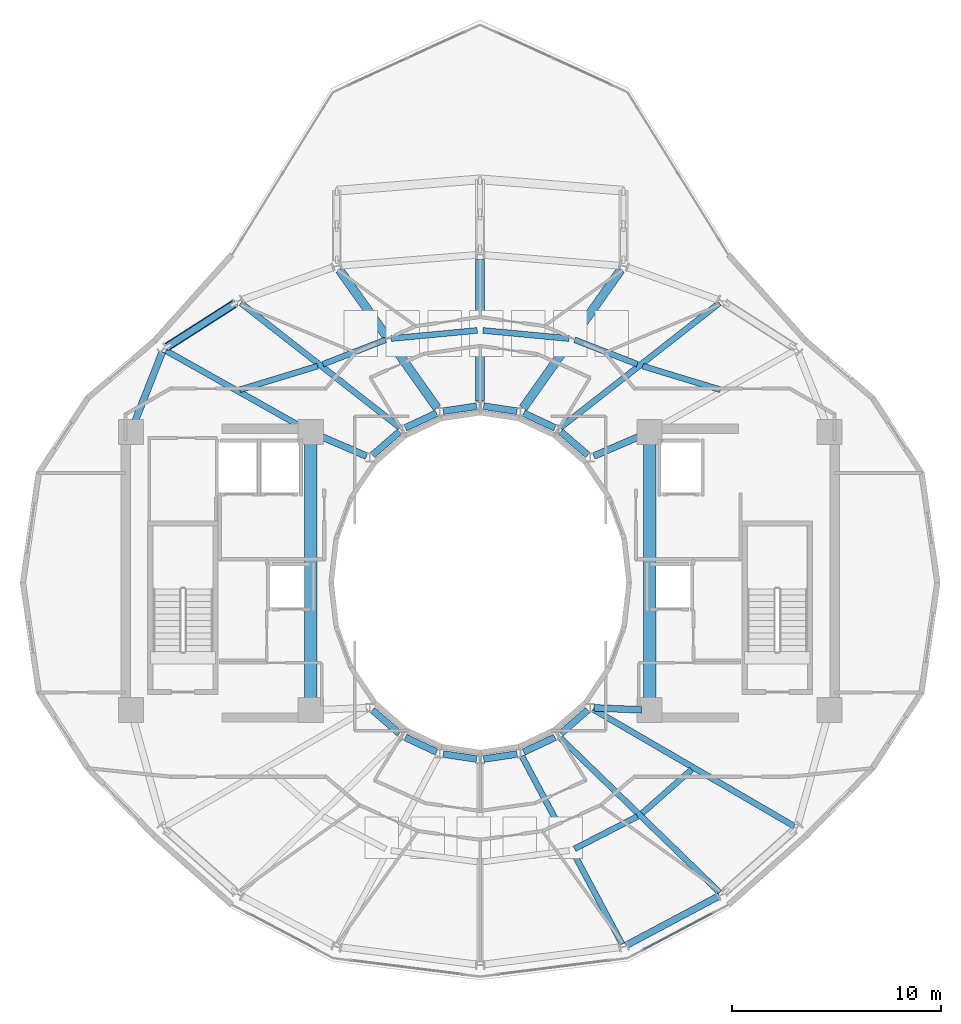
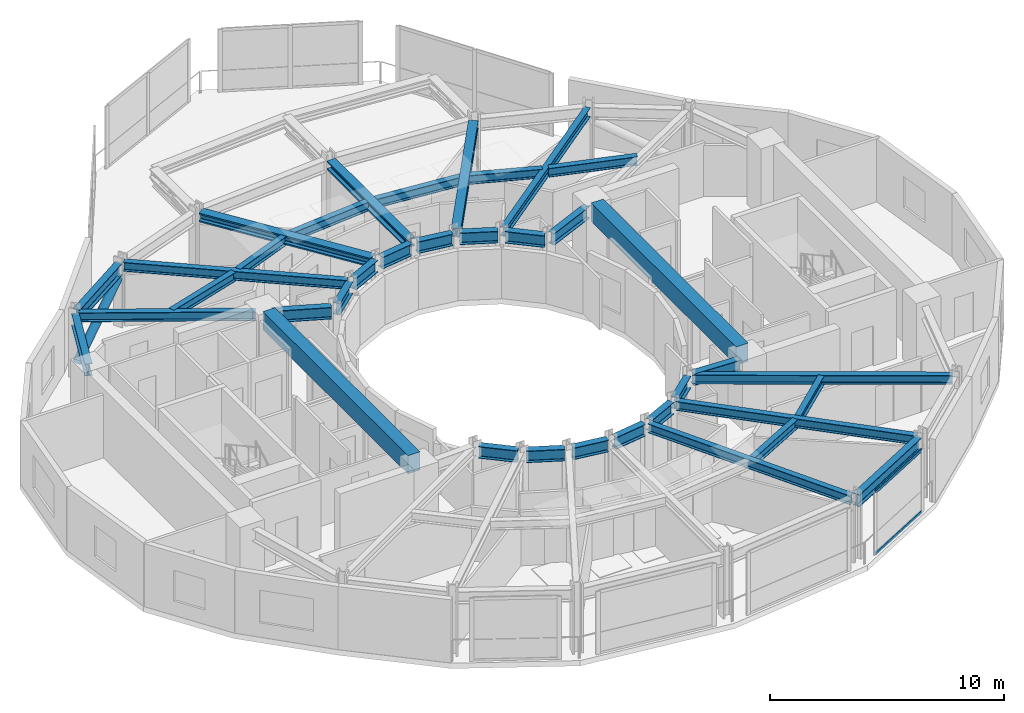
# One storey, part 5 of 19: 37 beams, 3 members, 1 element without a shape of its own.
"""IFC4 building model written with IfcOpenShell, lengths in metres."""

from ifc_helpers import new_model, si_unit, direction, frame, origin, origin_2d, place, context, subcontext, project, spatial, rectangle, hollow_rectangle, hollow_circle, i_section, extrude, material, layer, layer_set, material_profile, profile_set, type_object, element, aggregate, save


model = new_model("IFC4")

# Units and contexts
model_context = context("Model", 3, precision=1e-05, world=origin(), true_north=direction((0.0, 1.0)))
body_context = subcontext(model_context, "Body", "Model", "MODEL_VIEW")
ifc_project = project(units=[si_unit("LENGTHUNIT", "METRE"), si_unit("AREAUNIT", "SQUARE_METRE"), si_unit("VOLUMEUNIT", "CUBIC_METRE"), si_unit("PLANEANGLEUNIT", "RADIAN"), si_unit("MASSUNIT", "GRAM", prefix="KILO")], contexts=[model_context])

# Site, building, storey
site_placement = place(None, origin())
site = spatial("IfcSite", under=ifc_project, at=site_placement, CompositionType="ELEMENT")
building_placement = place(site_placement, origin())
building = spatial("IfcBuilding", under=site, at=building_placement, Name="Solvane Sanctuary Tower", CompositionType="ELEMENT")
storey_placement = place(building_placement, frame((0.0, 0.0, 249.60009765625)))
storey = spatial("IfcBuildingStorey", under=building, at=storey_placement, Name="L76", CompositionType="ELEMENT", Elevation=249.60009765625)

# Beams
ifc_material_1 = material(Name="Steel ASTM A913 Grade 65", Category="steel")
ifc_material_profile_1 = material_profile(ifc_material_1, i_section(OverallWidth=0.422119140625, OverallDepth=0.465087890625, WebThickness=0.044921875, FlangeThickness=0.072509765625, FilletRadius=0.02490234375, at=origin_2d()), Name="W14X398")
ifc_profile_set_1 = profile_set([ifc_material_profile_1], Name="Steel ASTM A913 Grade 65")
beam_type_1 = type_object("IfcBeamType", Name="Beam B-CANT-CH W14X398", PredefinedType="BEAM", material=ifc_profile_set_1)
beam_1_placement = place(storey_placement, frame((29.942138671875, 31.351318359375, 3.08544921875), z_axis=(-0.577262901024, 0.816558352539, 0.0), x_axis=(-0.816558352539, -0.577262901024, 0.0)))
element("IfcBeam", 1, at=beam_1_placement, inside=storey, type_object=beam_type_1, Name="L76 Sky-Dining Truss Backspan Chord C05", PredefinedType="BEAM", context=body_context, shape_type="SweptSolid", body=[
    extrude(i_section(OverallWidth=0.422119140625, OverallDepth=0.465087890625, WebThickness=0.044921875, FlangeThickness=0.072509765625, FilletRadius=0.02490234375, at=origin_2d()), origin(), (0.0, 0.0, 1.0), 8.08349609375),
])
beam_2_placement = place(storey_placement, frame((32.0, 31.679931640625, 3.08544921875), z_axis=(0.0, 1.0, 0.0), x_axis=(-1.0, 0.0, 0.0)))
element("IfcBeam", 2, at=beam_2_placement, inside=storey, type_object=beam_type_1, Name="L76 Sky-Dining Truss Backspan Chord C04", PredefinedType="BEAM", context=body_context, shape_type="SweptSolid", body=[
    extrude(i_section(OverallWidth=0.422119140625, OverallDepth=0.465087890625, WebThickness=0.044921875, FlangeThickness=0.072509765625, FilletRadius=0.02490234375, at=origin_2d()), origin(), (0.0, 0.0, 1.0), 6.779052734375),
])
beam_3_placement = place(storey_placement, frame((34.057861328125, 31.351318359375, 3.08544921875), z_axis=(0.577262901024, 0.816558352539, 0.0), x_axis=(-0.816558352539, 0.577262901024, 0.0)))
element("IfcBeam", 3, at=beam_3_placement, inside=storey, type_object=beam_type_1, Name="L76 Sky-Dining Truss Backspan Chord C03", PredefinedType="BEAM", context=body_context, shape_type="SweptSolid", body=[
    extrude(i_section(OverallWidth=0.422119140625, OverallDepth=0.465087890625, WebThickness=0.044921875, FlangeThickness=0.072509765625, FilletRadius=0.02490234375, at=origin_2d()), origin(), (0.0, 0.0, 1.0), 8.08349609375),
])
ifc_material_2 = material(Name="Concrete C70/85", Category="concrete")
ifc_material_profile_2 = material_profile(ifc_material_2, rectangle(XDim=0.60009765625, YDim=0.949951171875, at=origin_2d()), Name="RC600X950")
ifc_profile_set_2 = profile_set([ifc_material_profile_2], Name="Concrete C70/85")
beam_type_2 = type_object("IfcBeamType", Name="Beam B-COUPLE RC600X950", PredefinedType="LINTEL", material=ifc_profile_set_2)
for number, where, z_axis, x_axis, name in (
    (4, (23.89990234375, 17.35009765625, 3.125), (0.0, 1.0, 0.0), (-1.0, 0.0, 0.0), "L76 West Core Coupling Lintel"),
    (5, (40.10009765625, 17.35009765625, 3.125), (0.0, 1.0, 0.0), (-1.0, 0.0, 0.0), "L76 East Core Coupling Lintel"),
):
    element("IfcBeam", number, at=place(storey_placement, frame(where, z_axis=z_axis, x_axis=x_axis)), inside=storey, type_object=beam_type_2, Name=name, PredefinedType="LINTEL", context=body_context, shape_type="SweptSolid", body=[
        extrude(rectangle(XDim=0.60009765625, YDim=0.949951171875, at=origin_2d()), origin(), (0.0, 0.0, 1.0), 12.39990234375),
    ])
ifc_material_3 = material(Name="Steel ASTM A992 Grade 50", Category="steel")
ifc_material_profile_3 = material_profile(ifc_material_3, i_section(OverallWidth=0.282958984375, OverallDepth=0.471923828125, WebThickness=0.013671875, FlangeThickness=0.022216796875, FilletRadius=0.013916015625, at=origin_2d()), Name="W18X97")
ifc_profile_set_3 = profile_set([ifc_material_profile_3], Name="Steel ASTM A992 Grade 50")
beam_type_3 = type_object("IfcBeamType", Name="Beam B-RAD-Z4 W18X97", PredefinedType="JOIST", material=ifc_profile_set_3)
for number, where, z_axis, x_axis, name in (
    (6, (35.840087890625, 30.412841796875, 3.081787109375), (0.787179592087, 0.616723835927, 0.0), (-0.616723835927, 0.787179592087, 0.0), "L76 Radial Composite Floor Beam 02"),
    (7, (28.159912109375, 30.412841796875, 3.081787109375), (-0.787179592087, 0.616723835927, 0.0), (-0.616723835927, -0.787179592087, 0.0), "L76 Radial Composite Floor Beam 06"),
):
    element("IfcBeam", number, at=place(storey_placement, frame(where, z_axis=z_axis, x_axis=x_axis)), inside=storey, type_object=beam_type_3, Name=name, PredefinedType="JOIST", context=body_context, shape_type="SweptSolid", body=[
        extrude(i_section(OverallWidth=0.282958984375, OverallDepth=0.471923828125, WebThickness=0.013671875, FlangeThickness=0.022216796875, FilletRadius=0.013916015625, at=origin_2d()), origin(), (0.0, 0.0, 1.0), 9.66064453125),
    ])
beam_4_placement = place(storey_placement, frame((23.586181640625, 30.37646484375, 3.081787109375), z_axis=(-0.87176037811, 0.489932488367, 0.0), x_axis=(-0.489932488367, -0.87176037811, 0.0)))
element("IfcBeam", 8, at=beam_4_placement, inside=storey, type_object=beam_type_3, Name="L76 Radial Composite Floor Beam 07", PredefinedType="JOIST", context=body_context, shape_type="SweptSolid", body=[
    extrude(i_section(OverallWidth=0.282958984375, OverallDepth=0.471923828125, WebThickness=0.013671875, FlangeThickness=0.022216796875, FilletRadius=0.013916015625, at=origin_2d()), origin(), (0.0, 0.0, 1.0), 7.581298828125),
])
beam_5_placement = place(storey_placement, frame((33.99658203125, 14.704833984375, 3.081787109375), z_axis=(0.470405435304, -0.882450410185, 0.0), x_axis=(0.882450410185, 0.470405435304, 0.0)))
element("IfcBeam", 9, at=beam_5_placement, inside=storey, type_object=beam_type_3, Name="L76 Radial Composite Floor Beam 12", PredefinedType="JOIST", context=body_context, shape_type="SweptSolid", body=[
    extrude(i_section(OverallWidth=0.282958984375, OverallDepth=0.471923828125, WebThickness=0.013671875, FlangeThickness=0.022216796875, FilletRadius=0.013916015625, at=origin_2d()), origin(), (0.0, 0.0, 1.0), 10.190673828125),
])
beam_6_placement = place(storey_placement, frame((35.83056640625, 15.575927734375, 3.081787109375), z_axis=(0.71793137972, -0.696113880061, 0.0), x_axis=(0.696113880061, 0.71793137972, 0.0)))
element("IfcBeam", 10, at=beam_6_placement, inside=storey, type_object=beam_type_3, Name="L76 Radial Composite Floor Beam 13", PredefinedType="JOIST", context=body_context, shape_type="SweptSolid", body=[
    extrude(i_section(OverallWidth=0.282958984375, OverallDepth=0.471923828125, WebThickness=0.013671875, FlangeThickness=0.022216796875, FilletRadius=0.013916015625, at=origin_2d()), origin(), (0.0, 0.0, 1.0), 10.619384765625),
])
beam_7_placement = place(storey_placement, frame((37.39599609375, 16.947509765625, 3.081787109375), z_axis=(0.864496775109, -0.502638364857, 0.0), x_axis=(0.502638364857, 0.864496775109, 0.0)))
element("IfcBeam", 11, at=beam_7_placement, inside=storey, type_object=beam_type_3, Name="L76 Radial Composite Floor Beam 14", PredefinedType="JOIST", context=body_context, shape_type="SweptSolid", body=[
    extrude(i_section(OverallWidth=0.282958984375, OverallDepth=0.471923828125, WebThickness=0.013671875, FlangeThickness=0.022216796875, FilletRadius=0.013916015625, at=origin_2d()), origin(), (0.0, 0.0, 1.0), 11.136962890625),
])
ifc_material_profile_4 = material_profile(ifc_material_3, i_section(OverallWidth=0.324951171875, OverallDepth=0.615966796875, WebThickness=0.013916015625, FlangeThickness=0.021484375, FilletRadius=0.01611328125, at=origin_2d()), Name="W24X117")
ifc_profile_set_4 = profile_set([ifc_material_profile_4], Name="Steel ASTM A992 Grade 50")
beam_type_4 = type_object("IfcBeamType", Name="Beam B-RING-IN2 W24X117", PredefinedType="BEAM", material=ifc_profile_set_4)
beam_8_placement = place(storey_placement, frame((24.230712890625, 30.0576171875, 3.010009765625), z_axis=(0.918254967668, -0.395989664453, 0.0), x_axis=(0.395989664453, 0.918254967668, 0.0)))
element("IfcBeam", 12, at=beam_8_placement, inside=storey, type_object=beam_type_4, Name="L76 Inner Light-Well Ring Beam CW3-IC07", PredefinedType="BEAM", context=body_context, shape_type="SweptSolid", body=[
    extrude(i_section(OverallWidth=0.324951171875, OverallDepth=0.615966796875, WebThickness=0.013916015625, FlangeThickness=0.021484375, FilletRadius=0.01611328125, at=origin_2d()), origin(), (0.0, 0.0, 1.0), 2.54638671875),
])
beam_9_placement = place(storey_placement, frame((26.853271484375, 29.09375, 3.010009765625), z_axis=(0.754362388825, 0.656458213694, 0.0), x_axis=(-0.656458213694, 0.754362388825, 0.0)))
element("IfcBeam", 13, at=beam_9_placement, inside=storey, type_object=beam_type_4, Name="L76 Inner Light-Well Ring Beam IC07-IC06", PredefinedType="BEAM", context=body_context, shape_type="SweptSolid", body=[
    extrude(i_section(OverallWidth=0.324951171875, OverallDepth=0.615966796875, WebThickness=0.013916015625, FlangeThickness=0.021484375, FilletRadius=0.01611328125, at=origin_2d()), origin(), (0.0, 0.0, 1.0), 1.708251953125),
])
beam_10_placement = place(storey_placement, frame((28.423828125, 30.39892578125, 3.010009765625), z_axis=(0.905150857291, 0.425090491008, 0.0), x_axis=(-0.425090491008, 0.905150857291, 0.0)))
element("IfcBeam", 14, at=beam_10_placement, inside=storey, type_object=beam_type_4, Name="L76 Inner Light-Well Ring Beam IC06-IC05", PredefinedType="BEAM", context=body_context, shape_type="SweptSolid", body=[
    extrude(i_section(OverallWidth=0.324951171875, OverallDepth=0.615966796875, WebThickness=0.013916015625, FlangeThickness=0.021484375, FilletRadius=0.01611328125, at=origin_2d()), origin(), (0.0, 0.0, 1.0), 1.647705078125),
])
for number, where, z_axis, x_axis, name in (
    (15, (30.2373046875, 31.19677734375, 3.010009765625), (0.989039416515, 0.147651727316, 0.0), (-0.147651727316, 0.989039416515, 0.0), "L76 Inner Light-Well Ring Beam IC05-IC04"),
    (16, (32.168212890625, 31.434814453125, 3.010009765625), (0.989039416515, -0.147651727316, 0.0), (0.147651727316, 0.989039416515, 0.0), "L76 Inner Light-Well Ring Beam IC04-IC03"),
):
    element("IfcBeam", number, at=place(storey_placement, frame(where, z_axis=z_axis, x_axis=x_axis)), inside=storey, type_object=beam_type_4, Name=name, PredefinedType="BEAM", context=body_context, shape_type="SweptSolid", body=[
        extrude(i_section(OverallWidth=0.324951171875, OverallDepth=0.615966796875, WebThickness=0.013916015625, FlangeThickness=0.021484375, FilletRadius=0.01611328125, at=origin_2d()), origin(), (0.0, 0.0, 1.0), 1.612060546875),
    ])
beam_11_placement = place(storey_placement, frame((34.084716796875, 31.099365234375, 3.010009765625), z_axis=(0.905150857291, -0.425090491008, 0.0), x_axis=(0.425090491008, 0.905150857291, 0.0)))
element("IfcBeam", 17, at=beam_11_placement, inside=storey, type_object=beam_type_4, Name="L76 Inner Light-Well Ring Beam IC03-IC02", PredefinedType="BEAM", context=body_context, shape_type="SweptSolid", body=[
    extrude(i_section(OverallWidth=0.324951171875, OverallDepth=0.615966796875, WebThickness=0.013916015625, FlangeThickness=0.021484375, FilletRadius=0.01611328125, at=origin_2d()), origin(), (0.0, 0.0, 1.0), 1.647705078125),
])
beam_12_placement = place(storey_placement, frame((35.858154296875, 30.215087890625, 3.010009765625), z_axis=(0.754362388825, -0.656458213694, 0.0), x_axis=(0.656458213694, 0.754362388825, 0.0)))
element("IfcBeam", 18, at=beam_12_placement, inside=storey, type_object=beam_type_4, Name="L76 Inner Light-Well Ring Beam IC02-IC01", PredefinedType="BEAM", context=body_context, shape_type="SweptSolid", body=[
    extrude(i_section(OverallWidth=0.324951171875, OverallDepth=0.615966796875, WebThickness=0.013916015625, FlangeThickness=0.021484375, FilletRadius=0.01611328125, at=origin_2d()), origin(), (0.0, 0.0, 1.0), 1.708251953125),
])
beam_13_placement = place(storey_placement, frame((37.43115234375, 29.04931640625, 3.010009765625), z_axis=(0.918254967668, 0.395989664453, 0.0), x_axis=(-0.395989664453, 0.918254967668, 0.0)))
element("IfcBeam", 19, at=beam_13_placement, inside=storey, type_object=beam_type_4, Name="L76 Inner Light-Well Ring Beam IC01-CE4", PredefinedType="BEAM", context=body_context, shape_type="SweptSolid", body=[
    extrude(i_section(OverallWidth=0.324951171875, OverallDepth=0.615966796875, WebThickness=0.013916015625, FlangeThickness=0.021484375, FilletRadius=0.01611328125, at=origin_2d()), origin(), (0.0, 0.0, 1.0), 2.54638671875),
])
beam_14_placement = place(storey_placement, frame((26.853271484375, 16.90625, 3.010009765625), z_axis=(0.754362388825, -0.656458213694, 0.0), x_axis=(0.656458213694, 0.754362388825, 0.0)))
element("IfcBeam", 20, at=beam_14_placement, inside=storey, type_object=beam_type_4, Name="L76 Inner Light-Well Ring Beam IC08-IC09", PredefinedType="BEAM", context=body_context, shape_type="SweptSolid", body=[
    extrude(i_section(OverallWidth=0.324951171875, OverallDepth=0.615966796875, WebThickness=0.013916015625, FlangeThickness=0.021484375, FilletRadius=0.01611328125, at=origin_2d()), origin(), (0.0, 0.0, 1.0), 1.708251953125),
])
beam_15_placement = place(storey_placement, frame((28.423828125, 15.60107421875, 3.010009765625), z_axis=(0.905150857291, -0.425090491008, 0.0), x_axis=(0.425090491008, 0.905150857291, 0.0)))
element("IfcBeam", 21, at=beam_15_placement, inside=storey, type_object=beam_type_4, Name="L76 Inner Light-Well Ring Beam IC09-IC10", PredefinedType="BEAM", context=body_context, shape_type="SweptSolid", body=[
    extrude(i_section(OverallWidth=0.324951171875, OverallDepth=0.615966796875, WebThickness=0.013916015625, FlangeThickness=0.021484375, FilletRadius=0.01611328125, at=origin_2d()), origin(), (0.0, 0.0, 1.0), 1.647705078125),
])
for number, where, z_axis, x_axis, name in (
    (22, (30.2373046875, 14.80322265625, 3.010009765625), (0.989039416515, -0.147651727316, 0.0), (0.147651727316, 0.989039416515, 0.0), "L76 Inner Light-Well Ring Beam IC10-IC11"),
    (23, (32.168212890625, 14.565185546875, 3.010009765625), (0.989039416515, 0.147651727316, 0.0), (-0.147651727316, 0.989039416515, 0.0), "L76 Inner Light-Well Ring Beam IC11-IC12"),
):
    element("IfcBeam", number, at=place(storey_placement, frame(where, z_axis=z_axis, x_axis=x_axis)), inside=storey, type_object=beam_type_4, Name=name, PredefinedType="BEAM", context=body_context, shape_type="SweptSolid", body=[
        extrude(i_section(OverallWidth=0.324951171875, OverallDepth=0.615966796875, WebThickness=0.013916015625, FlangeThickness=0.021484375, FilletRadius=0.01611328125, at=origin_2d()), origin(), (0.0, 0.0, 1.0), 1.612060546875),
    ])
beam_16_placement = place(storey_placement, frame((34.084716796875, 14.900634765625, 3.010009765625), z_axis=(0.905150857291, 0.425090491008, 0.0), x_axis=(-0.425090491008, 0.905150857291, 0.0)))
element("IfcBeam", 24, at=beam_16_placement, inside=storey, type_object=beam_type_4, Name="L76 Inner Light-Well Ring Beam IC12-IC13", PredefinedType="BEAM", context=body_context, shape_type="SweptSolid", body=[
    extrude(i_section(OverallWidth=0.324951171875, OverallDepth=0.615966796875, WebThickness=0.013916015625, FlangeThickness=0.021484375, FilletRadius=0.01611328125, at=origin_2d()), origin(), (0.0, 0.0, 1.0), 1.647705078125),
])
beam_17_placement = place(storey_placement, frame((35.858154296875, 15.784912109375, 3.010009765625), z_axis=(0.754362388825, 0.656458213694, 0.0), x_axis=(-0.656458213694, 0.754362388825, 0.0)))
element("IfcBeam", 25, at=beam_17_placement, inside=storey, type_object=beam_type_4, Name="L76 Inner Light-Well Ring Beam IC13-IC14", PredefinedType="BEAM", context=body_context, shape_type="SweptSolid", body=[
    extrude(i_section(OverallWidth=0.324951171875, OverallDepth=0.615966796875, WebThickness=0.013916015625, FlangeThickness=0.021484375, FilletRadius=0.01611328125, at=origin_2d()), origin(), (0.0, 0.0, 1.0), 1.708251953125),
])
beam_18_placement = place(storey_placement, frame((37.44482421875, 17.0107421875, 3.010009765625), z_axis=(0.9991319677, -0.04165706566, 0.0), x_axis=(0.04165706566, 0.9991319677, 0.0)))
element("IfcBeam", 26, at=beam_18_placement, inside=storey, type_object=beam_type_4, Name="L76 Inner Light-Well Ring Beam IC14-CE1", PredefinedType="BEAM", context=body_context, shape_type="SweptSolid", body=[
    extrude(i_section(OverallWidth=0.324951171875, OverallDepth=0.615966796875, WebThickness=0.013916015625, FlangeThickness=0.021484375, FilletRadius=0.01611328125, at=origin_2d()), origin(), (0.0, 0.0, 1.0), 2.29736328125),
])
ifc_material_profile_5 = material_profile(ifc_material_3, i_section(OverallWidth=0.280029296875, OverallDepth=0.462890625, WebThickness=0.0107421875, FlangeThickness=0.017333984375, FilletRadius=0.013916015625, at=origin_2d()), Name="W18X76")
ifc_profile_set_5 = profile_set([ifc_material_profile_5], Name="Steel ASTM A992 Grade 50")
beam_type_5 = type_object("IfcBeamType", Name="Beam B-SEC-JOIST W18X76", PredefinedType="JOIST", material=ifc_profile_set_5)
beam_19_placement = place(storey_placement, frame((20.508056640625, 32.219482421875, 3.08642578125), z_axis=(0.95661833979, 0.291344044005, 0.0), x_axis=(-0.291344044005, 0.95661833979, 0.0)))
element("IfcBeam", 27, at=beam_19_placement, inside=storey, type_object=beam_type_5, Name="L76 Secondary Circumferential Joist 07-06", PredefinedType="JOIST", context=body_context, shape_type="SweptSolid", body=[
    extrude(i_section(OverallWidth=0.280029296875, OverallDepth=0.462890625, WebThickness=0.0107421875, FlangeThickness=0.017333984375, FilletRadius=0.013916015625, at=origin_2d()), origin(), (0.0, 0.0, 1.0), 3.887451171875),
])
beam_20_placement = place(storey_placement, frame((24.484619140625, 33.44140625, 3.08642578125), z_axis=(0.93205885038, 0.362306913306, 0.0), x_axis=(-0.362306913306, 0.93205885038, 0.0)))
element("IfcBeam", 28, at=beam_20_placement, inside=storey, type_object=beam_type_5, Name="L76 Secondary Circumferential Joist 06-05", PredefinedType="JOIST", context=body_context, shape_type="SweptSolid", body=[
    extrude(i_section(OverallWidth=0.280029296875, OverallDepth=0.462890625, WebThickness=0.0107421875, FlangeThickness=0.017333984375, FilletRadius=0.013916015625, at=origin_2d()), origin(), (0.0, 0.0, 1.0), 3.212890625),
])
for number, where, z_axis, x_axis, name in (
    (29, (27.742431640625, 34.667724609375, 3.08642578125), (0.995566487685, 0.094060451834, 0.0), (-0.094060451834, 0.995566487685, 0.0), "L76 Secondary Circumferential Joist 05-04"),
    (30, (32.135986328125, 35.05712890625, 3.08642578125), (0.995566487685, -0.094060451834, 0.0), (0.094060451834, 0.995566487685, 0.0), "L76 Secondary Circumferential Joist 04-03"),
):
    element("IfcBeam", number, at=place(storey_placement, frame(where, z_axis=z_axis, x_axis=x_axis)), inside=storey, type_object=beam_type_5, Name=name, PredefinedType="JOIST", context=body_context, shape_type="SweptSolid", body=[
        extrude(i_section(OverallWidth=0.280029296875, OverallDepth=0.462890625, WebThickness=0.0107421875, FlangeThickness=0.017333984375, FilletRadius=0.013916015625, at=origin_2d()), origin(), (0.0, 0.0, 1.0), 4.139892578125),
    ])
beam_21_placement = place(storey_placement, frame((36.520751953125, 34.60546875, 3.08642578125), z_axis=(0.93205885038, -0.362306913306, 0.0), x_axis=(0.362306913306, 0.93205885038, 0.0)))
element("IfcBeam", 31, at=beam_21_placement, inside=storey, type_object=beam_type_5, Name="L76 Secondary Circumferential Joist 03-02", PredefinedType="JOIST", context=body_context, shape_type="SweptSolid", body=[
    extrude(i_section(OverallWidth=0.280029296875, OverallDepth=0.462890625, WebThickness=0.0107421875, FlangeThickness=0.017333984375, FilletRadius=0.013916015625, at=origin_2d()), origin(), (0.0, 0.0, 1.0), 3.212890625),
])
beam_22_placement = place(storey_placement, frame((39.773193359375, 33.35205078125, 3.08642578125), z_axis=(0.95661833979, -0.291344044005, 0.0), x_axis=(0.291344044005, 0.95661833979, 0.0)))
element("IfcBeam", 32, at=beam_22_placement, inside=storey, type_object=beam_type_5, Name="L76 Secondary Circumferential Joist 02-01", PredefinedType="JOIST", context=body_context, shape_type="SweptSolid", body=[
    extrude(i_section(OverallWidth=0.280029296875, OverallDepth=0.462890625, WebThickness=0.0107421875, FlangeThickness=0.017333984375, FilletRadius=0.013916015625, at=origin_2d()), origin(), (0.0, 0.0, 1.0), 3.887451171875),
])
beam_23_placement = place(storey_placement, frame((36.514892578125, 10.27099609375, 3.08642578125), z_axis=(0.88924080122, 0.4574393921, 0.0), x_axis=(-0.4574393921, 0.88924080122, 0.0)))
element("IfcBeam", 33, at=beam_23_placement, inside=storey, type_object=beam_type_5, Name="L76 Secondary Circumferential Joist 12-13", PredefinedType="JOIST", context=body_context, shape_type="SweptSolid", body=[
    extrude(i_section(OverallWidth=0.280029296875, OverallDepth=0.462890625, WebThickness=0.0107421875, FlangeThickness=0.017333984375, FilletRadius=0.013916015625, at=origin_2d()), origin(), (0.0, 0.0, 1.0), 3.380615234375),
])
beam_24_placement = place(storey_placement, frame((39.744873046875, 11.97021484375, 3.08642578125), z_axis=(0.749354102876, 0.662169486236, 0.0), x_axis=(-0.662169486236, 0.749354102876, 0.0)))
element("IfcBeam", 34, at=beam_24_placement, inside=storey, type_object=beam_type_5, Name="L76 Secondary Circumferential Joist 13-14", PredefinedType="JOIST", context=body_context, shape_type="SweptSolid", body=[
    extrude(i_section(OverallWidth=0.280029296875, OverallDepth=0.462890625, WebThickness=0.0107421875, FlangeThickness=0.017333984375, FilletRadius=0.013916015625, at=origin_2d()), origin(), (0.0, 0.0, 1.0), 3.153076171875),
])
ifc_material_profile_6 = material_profile(ifc_material_3, i_section(OverallWidth=0.327880859375, OverallDepth=0.6279296875, WebThickness=0.0166015625, FlangeThickness=0.027587890625, FilletRadius=0.01611328125, at=origin_2d()), Name="W24X146")
ifc_profile_set_6 = profile_set([ifc_material_profile_6], Name="Steel ASTM A992 Grade 50")
beam_type_6 = type_object("IfcBeamType", Name="Beam B-SPAND-Z3 W24X146", PredefinedType="SPANDREL", material=ifc_profile_set_6)
beam_25_placement = place(storey_placement, frame((15.40234375, 30.460693359375, 3.00390625), z_axis=(0.365597204344, 0.930773164727, 0.0), x_axis=(-0.930773164727, 0.365597204344, 0.0)))
element("IfcBeam", 35, at=beam_25_placement, inside=storey, type_object=beam_type_6, Name="L76 Perimeter Spandrel Beam CW4-TC07", PredefinedType="SPANDREL", context=body_context, shape_type="SweptSolid", body=[
    extrude(i_section(OverallWidth=0.327880859375, OverallDepth=0.6279296875, WebThickness=0.0166015625, FlangeThickness=0.027587890625, FilletRadius=0.01611328125, at=origin_2d()), origin(), (0.0, 0.0, 1.0), 3.833740234375),
])
beam_26_placement = place(storey_placement, frame((16.972900390625, 34.23486328125, 3.00390625), z_axis=(0.842252471835, 0.539083271571, 0.0), x_axis=(-0.539083271571, 0.842252471835, 0.0)))
element("IfcBeam", 36, at=beam_26_placement, inside=storey, type_object=beam_type_6, Name="L76 Perimeter Spandrel Beam TC07-TC06", PredefinedType="SPANDREL", context=body_context, shape_type="SweptSolid", body=[
    extrude(i_section(OverallWidth=0.327880859375, OverallDepth=0.6279296875, WebThickness=0.0166015625, FlangeThickness=0.027587890625, FilletRadius=0.01611328125, at=origin_2d()), origin(), (0.0, 0.0, 1.0), 3.982177734375),
])
beam_27_placement = place(storey_placement, frame((38.979736328125, 5.654296875, 3.00390625), z_axis=(0.883011615456, 0.469351133981, 0.0), x_axis=(-0.469351133981, 0.883011615456, 0.0)))
element("IfcBeam", 37, at=beam_27_placement, inside=storey, type_object=beam_type_6, Name="L76 Perimeter Spandrel Beam TC12-TC13", PredefinedType="SPANDREL", context=body_context, shape_type="SweptSolid", body=[
    extrude(i_section(OverallWidth=0.327880859375, OverallDepth=0.6279296875, WebThickness=0.0166015625, FlangeThickness=0.027587890625, FilletRadius=0.01611328125, at=origin_2d()), origin(), (0.0, 0.0, 1.0), 5.04150390625),
])

# Curtain wall, members
ifc_material_4 = material(Name="Anodised Aluminium 6063-T6", Category="aluminium")
ifc_layer = layer(ifc_material_4, 0.18994140625, Name="Anodised Aluminium 6063-T6")
ifc_layer_set = layer_set([ifc_layer], Name="Anodised Aluminium 6063-T6")
curtain_wall_type = type_object("IfcCurtainWallType", Name="Curtain Wall CW-OPER", PredefinedType="NOTDEFINED", material=ifc_layer_set)
curtain_wall_placement = place(storey_placement, origin())
curtain_wall = element("IfcCurtainWall", 38, at=curtain_wall_placement, inside=storey, type_object=curtain_wall_type, Name="L76 CW-OPER Facade Run 19", PredefinedType="NOTDEFINED")
ifc_material_profile_7 = material_profile(ifc_material_4, hollow_rectangle(XDim=0.06494140625, YDim=0.159912109375, WallThickness=0.00341796875, at=origin_2d()), Name="ALU160X65X3.5")
ifc_profile_set_7 = profile_set([ifc_material_profile_7], Name="Anodised Aluminium 6063-T6")
member_type_1 = type_object("IfcMemberType", Name="Member M-CW-TRN-1 ALU160X65X3.5", PredefinedType="USERDEFINED", material=ifc_profile_set_7)
member_1_placement = place(storey_placement, frame((39.834228515625, 5.466552734375, 0.032470703125), z_axis=(0.883977140568, 0.467530121975, 0.0), x_axis=(-0.467530121975, 0.883977140568, 0.0)))
member_1 = element("IfcMember", 39, at=member_1_placement, type_object=member_type_1, Name="CW-OPER transom 1.1", ObjectType="TRANSOM", PredefinedType="USERDEFINED", context=body_context, shape_type="SweptSolid", body=[
    extrude(hollow_rectangle(XDim=0.06494140625, YDim=0.159912109375, WallThickness=0.00341796875, at=origin_2d()), origin(), (0.0, 0.0, 1.0), 3.67041015625),
])
member_2_placement = place(storey_placement, frame((39.834228515625, 5.466552734375, 3.247314453125), z_axis=(0.883977140568, 0.467530121975, 0.0), x_axis=(-0.467530121975, 0.883977140568, 0.0)))
member_2 = element("IfcMember", 40, at=member_2_placement, type_object=member_type_1, Name="CW-OPER transom 1.2", ObjectType="TRANSOM", PredefinedType="USERDEFINED", context=body_context, shape_type="SweptSolid", body=[
    extrude(hollow_rectangle(XDim=0.06494140625, YDim=0.159912109375, WallThickness=0.00341796875, at=origin_2d()), origin(), (0.0, 0.0, 1.0), 3.67041015625),
])
aggregate(curtain_wall, [member_1, member_2])

# Member
ifc_material_profile_8 = material_profile(ifc_material_3, hollow_circle(Radius=0.202880859375, WallThickness=0.012451171875, at=origin_2d()), Name="CHS406X12.5")
ifc_profile_set_8 = profile_set([ifc_material_profile_8], Name="Steel ASTM A992 Grade 50")
member_type_2 = type_object("IfcMemberType", Name="Member M-TUBE-Z3 CHS406X12.5", PredefinedType="BRACE", material=ifc_profile_set_8)
member_3_placement = place(storey_placement, frame((17.06298828125, 34.29248046875, 0.513671875), z_axis=(0.740476313264, 0.473952616824, 0.476512063332), x_axis=(-0.539092247698, 0.842246726602, 0.0)))
element("IfcMember", 41, at=member_3_placement, inside=storey, type_object=member_type_2, Name="L76 Perimeter Braced-Tube Diagonal NW", PredefinedType="BRACE", context=body_context, shape_type="SweptSolid", body=[
    extrude(hollow_circle(Radius=0.202880859375, WallThickness=0.012451171875, at=origin_2d()), origin(), (0.0, 0.0, 1.0), 4.29248046875),
])

save(model, "model.ifc")
